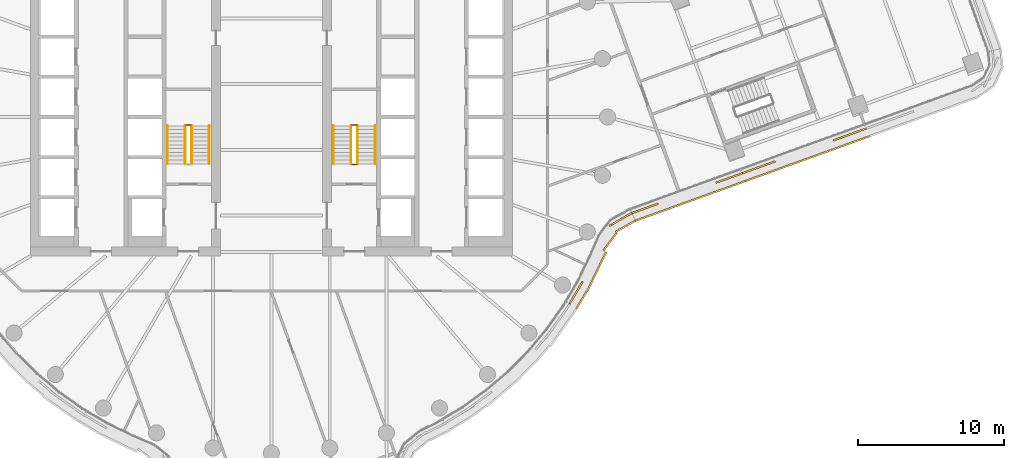
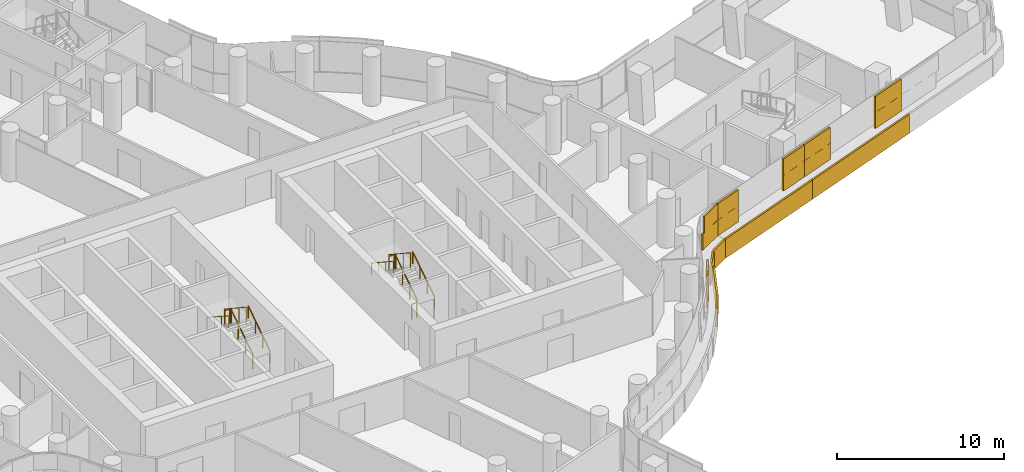
# One storey, part 27 of 30: 11 railings, 3 coverings.
"""IFC4 building model written with IfcOpenShell, lengths in metres."""

from ifc_helpers import new_model, si_unit, direction, frame, origin, origin_2d, place, context, subcontext, project, spatial, rectangle, circle, extrude, material, layer, layer_set, type_object, element, save


model = new_model("IFC4")

# Units and contexts
model_context = context("Model", 3, precision=1e-05, world=origin(), true_north=direction((0.0, 1.0)))
body_context = subcontext(model_context, "Body", "Model", "MODEL_VIEW")
ifc_project = project(units=[si_unit("LENGTHUNIT", "METRE"), si_unit("AREAUNIT", "SQUARE_METRE"), si_unit("VOLUMEUNIT", "CUBIC_METRE"), si_unit("PLANEANGLEUNIT", "RADIAN"), si_unit("MASSUNIT", "GRAM", prefix="KILO")], contexts=[model_context])

# Site, building, storey
site_placement = place(None, origin())
site = spatial("IfcSite", under=ifc_project, at=site_placement, CompositionType="ELEMENT")
building_placement = place(site_placement, origin())
building = spatial("IfcBuilding", under=site, at=building_placement, Name="Tamarind Cross Interchange Tower", CompositionType="ELEMENT")
storey_placement = place(building_placement, frame((0.0, 0.0, 106.0)))
storey = spatial("IfcBuildingStorey", under=building, at=storey_placement, Name="L25", CompositionType="ELEMENT", Elevation=106.0)

# Railings
ifc_material_1 = material(Name="Stair guard")
railing_type_1 = type_object("IfcRailingType", Name="Stair guard", PredefinedType="GUARDRAIL", material=ifc_material_1)
railing_1_placement = place(storey_placement, frame((-5.449951171875, -3.199951171875, 0.17041015625)))
element("IfcRailing", 1, at=railing_1_placement, inside=storey, type_object=railing_type_1, Name="L25 ST1 stair guard 1", PredefinedType="GUARDRAIL", context=body_context, shape_type="SweptSolid", body=[
    extrude(circle(Radius=0.02392578125, at=origin_2d()), frame((0.0, 0.0, 1.076171875), z_axis=(0.0, 0.836278606002, 0.548304744775), x_axis=(-1.0, 0.0, 0.0)), (0.0, 0.0, 1.0), 3.10888671875),
    extrude(circle(Radius=0.02099609375, at=origin_2d()), origin(), (0.0, 0.0, 1.0), 1.052001953125),
    extrude(circle(Radius=0.02099609375, at=origin_2d()), frame((0.0, 0.86669921875, 0.568115234375)), (0.0, 0.0, 1.0), 1.052001953125),
    extrude(circle(Radius=0.02099609375, at=origin_2d()), frame((0.0, 1.733154296875, 1.136474609375)), (0.0, 0.0, 1.0), 1.052001953125),
    extrude(circle(Radius=0.02099609375, at=origin_2d()), frame((0.0, 2.599853515625, 1.70458984375)), (0.0, 0.0, 1.0), 1.052001953125),
])
railing_2_placement = place(storey_placement, frame((-5.5, -0.550048828125, 1.875)))
element("IfcRailing", 2, at=railing_2_placement, inside=storey, type_object=railing_type_1, Name="L25 ST1 stair guard 2", PredefinedType="GUARDRAIL", context=body_context, shape_type="SweptSolid", body=[
    extrude(circle(Radius=0.02392578125, at=origin_2d()), frame((0.0, 0.0, 1.076171875), z_axis=(-1.0, 0.0, 0.0), x_axis=(0.0, -1.0, 0.0)), (0.0, 0.0, 1.0), 0.35009765625),
    extrude(circle(Radius=0.02099609375, at=origin_2d()), origin(), (0.0, 0.0, 1.0), 1.052001953125),
    extrude(circle(Radius=0.02099609375, at=origin_2d()), frame((-0.35009765625, 0.0, 0.0)), (0.0, 0.0, 1.0), 1.052001953125),
])
railing_3_placement = place(storey_placement, frame((-5.89990234375, -0.60009765625, 2.04541015625)))
element("IfcRailing", 3, at=railing_3_placement, inside=storey, type_object=railing_type_1, Name="L25 ST1 stair guard 3", PredefinedType="GUARDRAIL", context=body_context, shape_type="SweptSolid", body=[
    extrude(circle(Radius=0.02392578125, at=origin_2d()), frame((0.0, 0.0, 1.076171875), z_axis=(0.0, -0.836278606002, 0.548304744775), x_axis=(1.0, 0.0, 0.0)), (0.0, 0.0, 1.0), 3.10888671875),
    extrude(circle(Radius=0.02099609375, at=origin_2d()), origin(), (0.0, 0.0, 1.0), 1.052001953125),
    extrude(circle(Radius=0.02099609375, at=origin_2d()), frame((0.0, -0.86669921875, 0.568115234375)), (0.0, 0.0, 1.0), 1.052001953125),
    extrude(circle(Radius=0.02099609375, at=origin_2d()), frame((0.0, -1.733154296875, 1.136474609375)), (0.0, 0.0, 1.0), 1.052001953125),
    extrude(circle(Radius=0.02099609375, at=origin_2d()), frame((0.0, -2.599853515625, 1.70458984375)), (0.0, 0.0, 1.0), 1.052001953125),
])
railing_4_placement = place(storey_placement, frame((5.89990234375, -3.199951171875, 0.17041015625)))
element("IfcRailing", 4, at=railing_4_placement, inside=storey, type_object=railing_type_1, Name="L25 ST2 stair guard 1", PredefinedType="GUARDRAIL", context=body_context, shape_type="SweptSolid", body=[
    extrude(circle(Radius=0.02392578125, at=origin_2d()), frame((0.0, 0.0, 1.076171875), z_axis=(0.0, 0.836278606002, 0.548304744775), x_axis=(-1.0, 0.0, 0.0)), (0.0, 0.0, 1.0), 3.10888671875),
    extrude(circle(Radius=0.02099609375, at=origin_2d()), origin(), (0.0, 0.0, 1.0), 1.052001953125),
    extrude(circle(Radius=0.02099609375, at=origin_2d()), frame((0.0, 0.86669921875, 0.568115234375)), (0.0, 0.0, 1.0), 1.052001953125),
    extrude(circle(Radius=0.02099609375, at=origin_2d()), frame((0.0, 1.733154296875, 1.136474609375)), (0.0, 0.0, 1.0), 1.052001953125),
    extrude(circle(Radius=0.02099609375, at=origin_2d()), frame((0.0, 2.599853515625, 1.70458984375)), (0.0, 0.0, 1.0), 1.052001953125),
])
railing_5_placement = place(storey_placement, frame((5.85009765625, -0.550048828125, 1.875)))
element("IfcRailing", 5, at=railing_5_placement, inside=storey, type_object=railing_type_1, Name="L25 ST2 stair guard 2", PredefinedType="GUARDRAIL", context=body_context, shape_type="SweptSolid", body=[
    extrude(circle(Radius=0.02392578125, at=origin_2d()), frame((0.0, 0.0, 1.076171875), z_axis=(-1.0, 0.0, 0.0), x_axis=(0.0, -1.0, 0.0)), (0.0, 0.0, 1.0), 0.35009765625),
    extrude(circle(Radius=0.02099609375, at=origin_2d()), origin(), (0.0, 0.0, 1.0), 1.052001953125),
    extrude(circle(Radius=0.02099609375, at=origin_2d()), frame((-0.35009765625, 0.0, 0.0)), (0.0, 0.0, 1.0), 1.052001953125),
])
railing_6_placement = place(storey_placement, frame((5.449951171875, -0.60009765625, 2.04541015625)))
element("IfcRailing", 6, at=railing_6_placement, inside=storey, type_object=railing_type_1, Name="L25 ST2 stair guard 3", PredefinedType="GUARDRAIL", context=body_context, shape_type="SweptSolid", body=[
    extrude(circle(Radius=0.02392578125, at=origin_2d()), frame((0.0, 0.0, 1.076171875), z_axis=(0.0, -0.836278606002, 0.548304744775), x_axis=(1.0, 0.0, 0.0)), (0.0, 0.0, 1.0), 3.10888671875),
    extrude(circle(Radius=0.02099609375, at=origin_2d()), origin(), (0.0, 0.0, 1.0), 1.052001953125),
    extrude(circle(Radius=0.02099609375, at=origin_2d()), frame((0.0, -0.86669921875, 0.568115234375)), (0.0, 0.0, 1.0), 1.052001953125),
    extrude(circle(Radius=0.02099609375, at=origin_2d()), frame((0.0, -1.733154296875, 1.136474609375)), (0.0, 0.0, 1.0), 1.052001953125),
    extrude(circle(Radius=0.02099609375, at=origin_2d()), frame((0.0, -2.599853515625, 1.70458984375)), (0.0, 0.0, 1.0), 1.052001953125),
])
railing_7_placement = place(storey_placement, frame((5.85009765625, -3.25, 0.0)))
element("IfcRailing", 7, at=railing_7_placement, inside=storey, type_object=railing_type_1, Name="L25 ST2 stair guard 4", PredefinedType="GUARDRAIL", context=body_context, shape_type="SweptSolid", body=[
    extrude(circle(Radius=0.02392578125, at=origin_2d()), frame((0.0, 0.0, 1.076171875), z_axis=(-1.0, 0.0, 0.0), x_axis=(0.0, -1.0, 0.0)), (0.0, 0.0, 1.0), 0.35009765625),
    extrude(circle(Radius=0.02099609375, at=origin_2d()), origin(), (0.0, 0.0, 1.0), 1.052001953125),
    extrude(circle(Radius=0.02099609375, at=origin_2d()), frame((-0.35009765625, 0.0, 0.0)), (0.0, 0.0, 1.0), 1.052001953125),
])
ifc_material_2 = material(Name="Stair handrail")
railing_type_2 = type_object("IfcRailingType", Name="Stair handrail", PredefinedType="HANDRAIL", material=ifc_material_2)
railing_8_placement = place(storey_placement, frame((-4.25, -3.199951171875, 0.17041015625)))
element("IfcRailing", 8, at=railing_8_placement, inside=storey, type_object=railing_type_2, Name="L25 ST1 stair handrail 1", PredefinedType="HANDRAIL", context=body_context, shape_type="SweptSolid", body=[
    extrude(circle(Radius=0.02392578125, at=origin_2d()), frame((0.0, 0.0, 0.8759765625), z_axis=(0.0, 0.836278606002, 0.548304744775), x_axis=(-1.0, 0.0, 0.0)), (0.0, 0.0, 1.0), 3.10888671875),
    extrude(circle(Radius=0.02099609375, at=origin_2d()), origin(), (0.0, 0.0, 1.0), 0.851806640625),
    extrude(circle(Radius=0.02099609375, at=origin_2d()), frame((0.0, 0.86669921875, 0.568115234375)), (0.0, 0.0, 1.0), 0.851806640625),
    extrude(circle(Radius=0.02099609375, at=origin_2d()), frame((0.0, 1.733154296875, 1.136474609375)), (0.0, 0.0, 1.0), 0.851806640625),
    extrude(circle(Radius=0.02099609375, at=origin_2d()), frame((0.0, 2.599853515625, 1.70458984375)), (0.0, 0.0, 1.0), 0.851806640625),
])
railing_9_placement = place(storey_placement, frame((-7.10009765625, -0.60009765625, 2.04541015625)))
element("IfcRailing", 9, at=railing_9_placement, inside=storey, type_object=railing_type_2, Name="L25 ST1 stair handrail 2", PredefinedType="HANDRAIL", context=body_context, shape_type="SweptSolid", body=[
    extrude(circle(Radius=0.02392578125, at=origin_2d()), frame((0.0, 0.0, 0.8759765625), z_axis=(0.0, -0.836278606002, 0.548304744775), x_axis=(1.0, 0.0, 0.0)), (0.0, 0.0, 1.0), 3.10888671875),
    extrude(circle(Radius=0.02099609375, at=origin_2d()), origin(), (0.0, 0.0, 1.0), 0.851806640625),
    extrude(circle(Radius=0.02099609375, at=origin_2d()), frame((0.0, -0.86669921875, 0.568115234375)), (0.0, 0.0, 1.0), 0.851806640625),
    extrude(circle(Radius=0.02099609375, at=origin_2d()), frame((0.0, -1.733154296875, 1.136474609375)), (0.0, 0.0, 1.0), 0.851806640625),
    extrude(circle(Radius=0.02099609375, at=origin_2d()), frame((0.0, -2.599853515625, 1.70458984375)), (0.0, 0.0, 1.0), 0.851806640625),
])
railing_10_placement = place(storey_placement, frame((7.10009765625, -3.199951171875, 0.17041015625)))
element("IfcRailing", 10, at=railing_10_placement, inside=storey, type_object=railing_type_2, Name="L25 ST2 stair handrail 1", PredefinedType="HANDRAIL", context=body_context, shape_type="SweptSolid", body=[
    extrude(circle(Radius=0.02392578125, at=origin_2d()), frame((0.0, 0.0, 0.8759765625), z_axis=(0.0, 0.836278606002, 0.548304744775), x_axis=(-1.0, 0.0, 0.0)), (0.0, 0.0, 1.0), 3.10888671875),
    extrude(circle(Radius=0.02099609375, at=origin_2d()), origin(), (0.0, 0.0, 1.0), 0.851806640625),
    extrude(circle(Radius=0.02099609375, at=origin_2d()), frame((0.0, 0.86669921875, 0.568115234375)), (0.0, 0.0, 1.0), 0.851806640625),
    extrude(circle(Radius=0.02099609375, at=origin_2d()), frame((0.0, 1.733154296875, 1.136474609375)), (0.0, 0.0, 1.0), 0.851806640625),
    extrude(circle(Radius=0.02099609375, at=origin_2d()), frame((0.0, 2.599853515625, 1.70458984375)), (0.0, 0.0, 1.0), 0.851806640625),
])
railing_11_placement = place(storey_placement, frame((4.25, -0.60009765625, 2.04541015625)))
element("IfcRailing", 11, at=railing_11_placement, inside=storey, type_object=railing_type_2, Name="L25 ST2 stair handrail 2", PredefinedType="HANDRAIL", context=body_context, shape_type="SweptSolid", body=[
    extrude(circle(Radius=0.02392578125, at=origin_2d()), frame((0.0, 0.0, 0.8759765625), z_axis=(0.0, -0.836278606002, 0.548304744775), x_axis=(1.0, 0.0, 0.0)), (0.0, 0.0, 1.0), 3.10888671875),
    extrude(circle(Radius=0.02099609375, at=origin_2d()), origin(), (0.0, 0.0, 1.0), 0.851806640625),
    extrude(circle(Radius=0.02099609375, at=origin_2d()), frame((0.0, -0.86669921875, 0.568115234375)), (0.0, 0.0, 1.0), 0.851806640625),
    extrude(circle(Radius=0.02099609375, at=origin_2d()), frame((0.0, -1.733154296875, 1.136474609375)), (0.0, 0.0, 1.0), 0.851806640625),
    extrude(circle(Radius=0.02099609375, at=origin_2d()), frame((0.0, -2.599853515625, 1.70458984375)), (0.0, 0.0, 1.0), 0.851806640625),
])

# Coverings
ifc_material_3 = material(Name="Terracotta", Category="masonry")
ifc_layer = layer(ifc_material_3, 0.1201171875)
ifc_layer_set = layer_set([ifc_layer], Name="Terracotta")
covering_type = type_object("IfcCoveringType", Name="Terracotta baguette screen unit", PredefinedType="MOLDING", material=ifc_layer_set)
covering_1_placement = place(storey_placement, origin())
element("IfcCovering", 12, at=covering_1_placement, inside=storey, type_object=covering_type, Name="SCR-L25-06-01", PredefinedType="MOLDING", context=body_context, shape_type="SweptSolid", body=[
    extrude(rectangle(XDim=0.937744140625, YDim=0.1201171875, at=origin_2d()), frame((20.62890625, -12.394775390625, 1.404052734375), z_axis=(0.0, 0.0, 1.0), x_axis=(0.508183308752, 0.861248933065, 0.0)), (0.0, 0.0, 1.0), 1.1669921875),
    extrude(rectangle(XDim=0.85595703125, YDim=0.1201171875, at=origin_2d()), frame((21.07958984375, -11.630859375, 1.404052734375), z_axis=(0.0, 0.0, 1.0), x_axis=(0.508183308752, 0.861248933065, 0.0)), (0.0, 0.0, 1.0), 1.1669921875),
    extrude(rectangle(XDim=0.9638671875, YDim=0.1201171875, at=origin_2d()), frame((23.53369140625, -7.216064453125, 1.404052734375), z_axis=(0.0, 0.0, 1.0), x_axis=(0.86568357564, 0.500591596881, 0.0)), (0.0, 0.0, 1.0), 1.1669921875),
    extrude(rectangle(XDim=0.829833984375, YDim=0.1201171875, at=origin_2d()), frame((24.302978515625, -6.77490234375, 1.404052734375), z_axis=(0.0, 0.0, 1.0), x_axis=(0.875597761856, 0.483040950058, 0.0)), (0.0, 0.0, 1.0), 1.1669921875),
    extrude(rectangle(XDim=0.187744140625, YDim=0.1201171875, at=origin_2d()), frame((20.438232421875, -12.7177734375, 2.5791015625), z_axis=(0.0, 0.0, 1.0), x_axis=(0.508183308752, 0.861248933065, 0.0)), (0.0, 0.0, 1.0), 1.1669921875),
    extrude(rectangle(XDim=1.52001953125, YDim=0.1201171875, at=origin_2d()), frame((20.86474609375, -11.995361328125, 2.5791015625), z_axis=(0.0, 0.0, 1.0), x_axis=(0.508183308752, 0.861248933065, 0.0)), (0.0, 0.0, 1.0), 1.1669921875),
    extrude(rectangle(XDim=1.52001953125, YDim=0.1201171875, at=origin_2d()), frame((23.946533203125, -6.977294921875, 2.5791015625), z_axis=(0.0, 0.0, 1.0), x_axis=(0.86568357564, 0.500591596881, 0.0)), (0.0, 0.0, 1.0), 1.1669921875),
    extrude(rectangle(XDim=0.079833984375, YDim=0.1201171875, at=origin_2d()), frame((24.63134765625, -6.59375, 2.5791015625), z_axis=(0.0, 0.0, 1.0), x_axis=(0.875597761856, 0.483040950058, 0.0)), (0.0, 0.0, 1.0), 1.1669921875),
    extrude(rectangle(XDim=1.37744140625, YDim=0.1201171875, at=origin_2d()), frame((21.2294921875, -12.50634765625, 0.00390625), z_axis=(0.0, 0.0, 1.0), x_axis=(0.508183308752, 0.861248933065, 0.0)), (0.0, 0.0, 1.0), 1.39208984375),
    extrude(rectangle(XDim=1.52001953125, YDim=0.1201171875, at=origin_2d()), frame((21.924560546875, -11.25927734375, 0.00390625), z_axis=(0.0, 0.0, 1.0), x_axis=(0.435326231914, 0.900272776334, 0.0)), (0.0, 0.0, 1.0), 1.39208984375),
    extrude(rectangle(XDim=1.52001953125, YDim=0.1201171875, at=origin_2d()), frame((22.577392578125, -9.908935546875, 0.00390625), z_axis=(0.0, 0.0, 1.0), x_axis=(0.435326231914, 0.900272776334, 0.0)), (0.0, 0.0, 1.0), 1.39208984375),
    extrude(rectangle(XDim=1.52001953125, YDim=0.1201171875, at=origin_2d()), frame((23.169189453125, -8.53125, 0.00390625), z_axis=(0.0, 0.0, 1.0), x_axis=(0.605627948242, 0.795747942698, 0.0)), (0.0, 0.0, 1.0), 1.39208984375),
    extrude(rectangle(XDim=1.52001953125, YDim=0.1201171875, at=origin_2d()), frame((24.2099609375, -7.488037109375, 0.00390625), z_axis=(0.0, 0.0, 1.0), x_axis=(0.86568357564, 0.500591596881, 0.0)), (0.0, 0.0, 1.0), 1.39208984375),
    extrude(rectangle(XDim=0.050537109375, YDim=0.1201171875, at=origin_2d()), frame((24.87744140625, -7.113525390625, 0.00390625), z_axis=(0.0, 0.0, 1.0), x_axis=(0.875597761856, 0.483040950058, 0.0)), (0.0, 0.0, 1.0), 1.39208984375),
])
covering_2_placement = place(storey_placement, origin())
element("IfcCovering", 13, at=covering_2_placement, inside=storey, type_object=covering_type, Name="SCR-L25-07-00", PredefinedType="MOLDING", context=body_context, shape_type="SweptSolid", body=[
    extrude(rectangle(XDim=0.760009765625, YDim=0.1201171875, at=origin_2d()), frame((25.0146484375, -6.449462890625, 1.404052734375), z_axis=(0.0, 0.0, 1.0), x_axis=(0.94057769422, 0.339578564011, 0.0)), (0.0, 0.0, 1.0), 1.1669921875),
    extrude(rectangle(XDim=1.17919921875, YDim=0.1201171875, at=origin_2d()), frame((25.917236328125, -6.123779296875, 1.404052734375), z_axis=(0.0, 0.0, 1.0), x_axis=(0.94057769422, 0.339578564011, 0.0)), (0.0, 0.0, 1.0), 1.1669921875),
    extrude(rectangle(XDim=0.640869140625, YDim=0.1201171875, at=origin_2d()), frame((30.714111328125, -4.391845703125, 1.404052734375), z_axis=(0.0, 0.0, 1.0), x_axis=(0.94057769422, 0.339578564011, 0.0)), (0.0, 0.0, 1.0), 1.1669921875),
    extrude(rectangle(XDim=1.29833984375, YDim=0.1201171875, at=origin_2d()), frame((31.61669921875, -4.06591796875, 1.404052734375), z_axis=(0.0, 0.0, 1.0), x_axis=(0.94057769422, 0.339578564011, 0.0)), (0.0, 0.0, 1.0), 1.1669921875),
    extrude(rectangle(XDim=1.510009765625, YDim=0.1201171875, at=origin_2d()), frame((25.367431640625, -6.322265625, 2.5791015625), z_axis=(0.0, 0.0, 1.0), x_axis=(0.94057769422, 0.339578564011, 0.0)), (0.0, 0.0, 1.0), 1.1669921875),
    extrude(rectangle(XDim=0.42919921875, YDim=0.1201171875, at=origin_2d()), frame((26.27001953125, -5.996337890625, 2.5791015625), z_axis=(0.0, 0.0, 1.0), x_axis=(0.94057769422, 0.339578564011, 0.0)), (0.0, 0.0, 1.0), 1.1669921875),
    extrude(rectangle(XDim=1.390869140625, YDim=0.1201171875, at=origin_2d()), frame((31.06689453125, -4.264404296875, 2.5791015625), z_axis=(0.0, 0.0, 1.0), x_axis=(0.94057769422, 0.339578564011, 0.0)), (0.0, 0.0, 1.0), 1.1669921875),
    extrude(rectangle(XDim=0.54833984375, YDim=0.1201171875, at=origin_2d()), frame((31.969482421875, -3.938720703125, 2.5791015625), z_axis=(0.0, 0.0, 1.0), x_axis=(0.94057769422, 0.339578564011, 0.0)), (0.0, 0.0, 1.0), 1.1669921875),
    extrude(rectangle(XDim=0.760009765625, YDim=0.1201171875, at=origin_2d()), frame((25.2568359375, -6.972412109375, 0.00390625), z_axis=(0.0, 0.0, 1.0), x_axis=(0.94057769422, 0.339578564011, 0.0)), (0.0, 0.0, 1.0), 1.39208984375),
    extrude(rectangle(XDim=1.52001953125, YDim=0.1201171875, at=origin_2d()), frame((26.310302734375, -6.592041015625, 0.00390625), z_axis=(0.0, 0.0, 1.0), x_axis=(0.94057769422, 0.339578564011, 0.0)), (0.0, 0.0, 1.0), 1.39208984375),
    extrude(rectangle(XDim=1.52001953125, YDim=0.1201171875, at=origin_2d()), frame((27.72119140625, -6.08251953125, 0.00390625), z_axis=(0.0, 0.0, 1.0), x_axis=(0.94057769422, 0.339578564011, 0.0)), (0.0, 0.0, 1.0), 1.39208984375),
    extrude(rectangle(XDim=1.52001953125, YDim=0.1201171875, at=origin_2d()), frame((29.132080078125, -5.5732421875, 0.00390625), z_axis=(0.0, 0.0, 1.0), x_axis=(0.94057769422, 0.339578564011, 0.0)), (0.0, 0.0, 1.0), 1.39208984375),
    extrude(rectangle(XDim=1.52001953125, YDim=0.1201171875, at=origin_2d()), frame((30.54296875, -5.06396484375, 0.00390625), z_axis=(0.0, 0.0, 1.0), x_axis=(0.94057769422, 0.339578564011, 0.0)), (0.0, 0.0, 1.0), 1.39208984375),
    extrude(rectangle(XDim=1.30810546875, YDim=0.1201171875, at=origin_2d()), frame((31.854248046875, -4.590576171875, 0.00390625), z_axis=(0.0, 0.0, 1.0), x_axis=(0.94057769422, 0.339578564011, 0.0)), (0.0, 0.0, 1.0), 1.39208984375),
])
covering_3_placement = place(storey_placement, origin())
element("IfcCovering", 14, at=covering_3_placement, inside=storey, type_object=covering_type, Name="SCR-L25-07-01", PredefinedType="MOLDING", context=body_context, shape_type="SweptSolid", body=[
    extrude(rectangle(XDim=0.2216796875, YDim=0.1201171875, at=origin_2d()), frame((32.322021484375, -3.811279296875, 1.404052734375), z_axis=(0.0, 0.0, 1.0), x_axis=(0.94057769422, 0.339578564011, 0.0)), (0.0, 0.0, 1.0), 1.1669921875),
    extrude(rectangle(XDim=1.52001953125, YDim=0.1201171875, at=origin_2d()), frame((33.127197265625, -3.520751953125, 1.404052734375), z_axis=(0.0, 0.0, 1.0), x_axis=(0.94057769422, 0.339578564011, 0.0)), (0.0, 0.0, 1.0), 1.1669921875),
    extrude(rectangle(XDim=0.698974609375, YDim=0.1201171875, at=origin_2d()), frame((34.15673828125, -3.14892578125, 1.404052734375), z_axis=(0.0, 0.0, 1.0), x_axis=(0.94057769422, 0.339578564011, 0.0)), (0.0, 0.0, 1.0), 1.1669921875),
    extrude(rectangle(XDim=1.120849609375, YDim=0.1201171875, at=origin_2d()), frame((38.95361328125, -1.417236328125, 1.404052734375), z_axis=(0.0, 0.0, 1.0), x_axis=(0.94057769422, 0.339578564011, 0.0)), (0.0, 0.0, 1.0), 1.1669921875),
    extrude(rectangle(XDim=1.300048828125, YDim=0.1201171875, at=origin_2d()), frame((40.082763671875, -1.009521484375, 1.404052734375), z_axis=(0.0, 0.0, 1.0), x_axis=(0.94057769422, 0.339578564011, 0.0)), (0.0, 0.0, 1.0), 1.1669921875),
    extrude(rectangle(XDim=0.9716796875, YDim=0.1201171875, at=origin_2d()), frame((32.6748046875, -3.68408203125, 2.5791015625), z_axis=(0.0, 0.0, 1.0), x_axis=(0.94057769422, 0.339578564011, 0.0)), (0.0, 0.0, 1.0), 1.1669921875),
    extrude(rectangle(XDim=1.448974609375, YDim=0.1201171875, at=origin_2d()), frame((33.803955078125, -3.2763671875, 2.5791015625), z_axis=(0.0, 0.0, 1.0), x_axis=(0.94057769422, 0.339578564011, 0.0)), (0.0, 0.0, 1.0), 1.1669921875),
    extrude(rectangle(XDim=0.370849609375, YDim=0.1201171875, at=origin_2d()), frame((38.600830078125, -1.54443359375, 2.5791015625), z_axis=(0.0, 0.0, 1.0), x_axis=(0.94057769422, 0.339578564011, 0.0)), (0.0, 0.0, 1.0), 1.1669921875),
    extrude(rectangle(XDim=1.52001953125, YDim=0.1201171875, at=origin_2d()), frame((39.47607421875, -1.228515625, 2.5791015625), z_axis=(0.0, 0.0, 1.0), x_axis=(0.94057769422, 0.339578564011, 0.0)), (0.0, 0.0, 1.0), 1.1669921875),
    extrude(rectangle(XDim=0.550048828125, YDim=0.1201171875, at=origin_2d()), frame((40.435302734375, -0.882080078125, 2.5791015625), z_axis=(0.0, 0.0, 1.0), x_axis=(0.94057769422, 0.339578564011, 0.0)), (0.0, 0.0, 1.0), 1.1669921875),
    extrude(rectangle(XDim=0.2119140625, YDim=0.1201171875, at=origin_2d()), frame((32.569091796875, -4.33251953125, 0.00390625), z_axis=(0.0, 0.0, 1.0), x_axis=(0.94057769422, 0.339578564011, 0.0)), (0.0, 0.0, 1.0), 1.39208984375),
    extrude(rectangle(XDim=1.52001953125, YDim=0.1201171875, at=origin_2d()), frame((33.36474609375, -4.045166015625, 0.00390625), z_axis=(0.0, 0.0, 1.0), x_axis=(0.94057769422, 0.339578564011, 0.0)), (0.0, 0.0, 1.0), 1.39208984375),
    extrude(rectangle(XDim=1.52001953125, YDim=0.1201171875, at=origin_2d()), frame((34.775634765625, -3.535888671875, 0.00390625), z_axis=(0.0, 0.0, 1.0), x_axis=(0.94057769422, 0.339578564011, 0.0)), (0.0, 0.0, 1.0), 1.39208984375),
    extrude(rectangle(XDim=1.52001953125, YDim=0.1201171875, at=origin_2d()), frame((36.1865234375, -3.0263671875, 0.00390625), z_axis=(0.0, 0.0, 1.0), x_axis=(0.94057769422, 0.339578564011, 0.0)), (0.0, 0.0, 1.0), 1.39208984375),
    extrude(rectangle(XDim=1.52001953125, YDim=0.1201171875, at=origin_2d()), frame((37.597412109375, -2.51708984375, 0.00390625), z_axis=(0.0, 0.0, 1.0), x_axis=(0.94057769422, 0.339578564011, 0.0)), (0.0, 0.0, 1.0), 1.39208984375),
    extrude(rectangle(XDim=1.52001953125, YDim=0.1201171875, at=origin_2d()), frame((39.00830078125, -2.007568359375, 0.00390625), z_axis=(0.0, 0.0, 1.0), x_axis=(0.94057769422, 0.339578564011, 0.0)), (0.0, 0.0, 1.0), 1.39208984375),
    extrude(rectangle(XDim=1.320556640625, YDim=0.1201171875, at=origin_2d()), frame((40.3251953125, -1.5322265625, 0.00390625), z_axis=(0.0, 0.0, 1.0), x_axis=(0.94057769422, 0.339578564011, 0.0)), (0.0, 0.0, 1.0), 1.39208984375),
])

save(model, "model.ifc")
